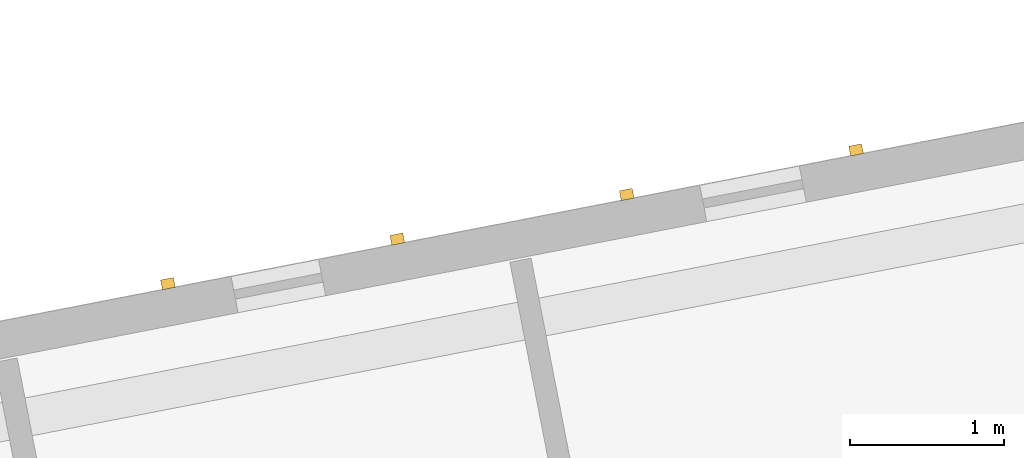
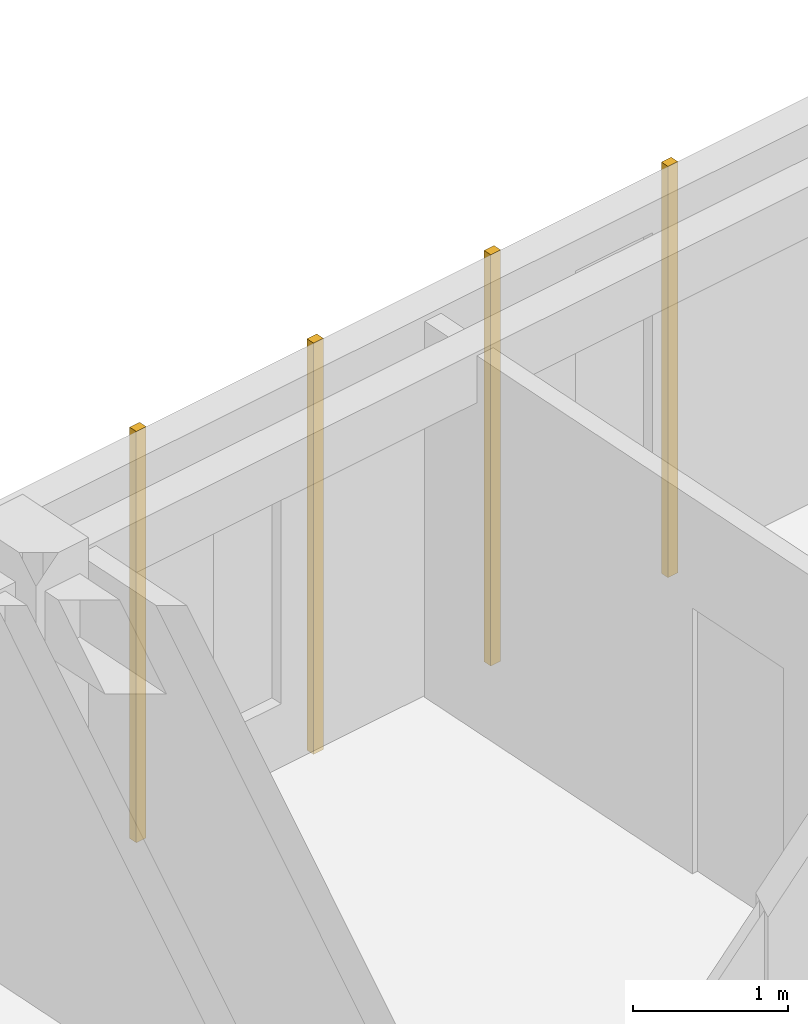
# One storey, part 53 of 65: 4 coverings.
"""IFC4 building model written with IfcOpenShell, lengths in metres."""

import ifcopenshell
import ifcopenshell.guid

model = None  # the IFC model being written
_history = None  # IfcOwnerHistory: only IFC2X3 demands one
_inside = {}  # id of a spatial element -> (the spatial element, [elements in it])
_under = {}  # id of a project, library or spatial element -> (it, [spatial elements below it])
_declared = {}  # id of a project -> (the project, [libraries it declares])
_typed = {}  # id of a type object -> (the type object, [elements of that type])
_made_of = {}  # id of a material, layer set ... -> (it, [elements and type objects made of it])


def new_model(schema):
    """Start an empty IFC model of exactly this schema.

    Asked for "IFC4X3", IfcOpenShell would pick the latest addendum, in which some entities
    have other attributes; the version numbers below select the first issue.
    IFC2X3 requires an IfcOwnerHistory on every rooted entity: one is made here for all.
    """
    global model, _history
    if schema == "IFC4X3":
        model = ifcopenshell.file(schema_version=(4, 3, 0, 0))
    else:
        model = ifcopenshell.file(schema=schema)
    _inside.clear()
    _under.clear()
    _declared.clear()
    _typed.clear()
    _made_of.clear()
    _history = None
    if model.schema == "IFC2X3":
        org = make("IfcOrganization", Name="unknown")
        user = make(
            "IfcPersonAndOrganization",
            ThePerson=make("IfcPerson", FamilyName="unknown"),
            TheOrganization=org,
        )
        app = make(
            "IfcApplication",
            ApplicationDeveloper=org,
            Version="unknown",
            ApplicationFullName="unknown",
            ApplicationIdentifier="unknown",
        )
        _history = make(
            "IfcOwnerHistory",
            OwningUser=user,
            OwningApplication=app,
            ChangeAction="ADDED",
            CreationDate=0,
        )
    return model


def make(cls, **values):
    """One entity of the class cls with the attributes given. An attribute that is None is left unset."""
    return model.create_entity(
        cls, **{name: value for name, value in values.items() if value is not None}
    )


def rooted(cls, **values):
    """An entity with a GlobalId (a new one), such as an element, a storey or a relation."""
    return make(cls, GlobalId=ifcopenshell.guid.new(), OwnerHistory=_history, **values)


def si_unit(unit_type, name, prefix=None):
    """IfcSIUnit, for example si_unit("LENGTHUNIT", "METRE", prefix="MILLI")."""
    return make("IfcSIUnit", UnitType=unit_type, Prefix=prefix, Name=name)


def assignment(units):
    """IfcUnitAssignment: the units of a project."""
    return None if units is None else make("IfcUnitAssignment", Units=units)


def point(xyz):
    """IfcCartesianPoint."""
    return None if xyz is None else make("IfcCartesianPoint", Coordinates=xyz)


def direction(xyz):
    """IfcDirection."""
    return None if xyz is None else make("IfcDirection", DirectionRatios=xyz)


def frame(location, z_axis=None, x_axis=None):
    """IfcAxis2Placement3D, a coordinate frame: its origin and axes. An axis left out is left unset."""
    return make(
        "IfcAxis2Placement3D",
        Location=point(location),
        Axis=direction(z_axis),
        RefDirection=direction(x_axis),
    )


def frame_2d(location, x_axis=None):
    """IfcAxis2Placement2D, a coordinate frame in the plane: its origin and x axis."""
    return make(
        "IfcAxis2Placement2D", Location=point(location), RefDirection=direction(x_axis)
    )


def origin():
    """The frame at (0, 0, 0) with its axes left unset."""
    return frame((0.0, 0.0, 0.0))


def origin_2d():
    """The frame at (0, 0) in the plane with its x axis left unset."""
    return frame_2d((0.0, 0.0))


def place(relative_to, where):
    """IfcLocalPlacement: puts the frame where relative to a parent placement (None: the world)."""
    return make(
        "IfcLocalPlacement", PlacementRelTo=relative_to, RelativePlacement=where
    )


def context(
    kind, dimensions, precision=None, world=None, true_north=None, identifier=None
):
    """IfcGeometricRepresentationContext, for example the 3D "Model" context."""
    return make(
        "IfcGeometricRepresentationContext",
        ContextIdentifier=identifier,
        ContextType=kind,
        CoordinateSpaceDimension=dimensions,
        Precision=precision,
        WorldCoordinateSystem=world,
        TrueNorth=true_north,
    )


def subcontext(parent, identifier, kind, view, scale=None):
    """IfcGeometricRepresentationSubContext, for example "Body" below "Model"."""
    return make(
        "IfcGeometricRepresentationSubContext",
        ContextIdentifier=identifier,
        ContextType=kind,
        ParentContext=parent,
        TargetScale=scale,
        TargetView=view,
    )


def project(units=None, contexts=None):
    """IfcProject with its units and contexts."""
    return rooted(
        "IfcProject",
        Name="project",
        RepresentationContexts=contexts,
        UnitsInContext=assignment(units),
    )


def spatial(cls, under=None, at=None, **own):
    """A site, building, storey or space (cls), placed at a placement, below another one or the project."""
    s = rooted(cls, ObjectPlacement=at, **own)
    if under is not None:
        _under.setdefault(under.id(), (under, []))[1].append(s)
    return s


def profile(cls, at=None, kind="AREA", **sizes):
    """A parametric profile (cls). Its sizes go by their IFC names, for example OverallWidth=200.0."""
    return make(cls, ProfileType=kind, Position=at, **sizes)


def rectangle(**sizes):
    """IfcRectangleProfileDef."""
    return profile("IfcRectangleProfileDef", **sizes)


def extrude(swept, where, along, depth):
    """IfcExtrudedAreaSolid: the profile swept, set in the frame where, extruded along a direction by depth."""
    return make(
        "IfcExtrudedAreaSolid",
        SweptArea=swept,
        Position=where,
        ExtrudedDirection=direction(along),
        Depth=depth,
    )


def shape(context_of_items, identifier, shape_type, items):
    """IfcShapeRepresentation: the items that make up one representation, for example the "Body"."""
    return make(
        "IfcShapeRepresentation",
        ContextOfItems=context_of_items,
        RepresentationIdentifier=identifier,
        RepresentationType=shape_type,
        Items=items,
    )


def material(Name=None, Category=None):
    """IfcMaterial."""
    return make("IfcMaterial", Name=Name, Category=Category)


def layer(
    of_material, thickness, ventilated=None, Name=None, Category=None, Priority=None
):
    """IfcMaterialLayer: one layer of a wall or slab, of a material (None: an air gap)."""
    return make(
        "IfcMaterialLayer",
        Material=of_material,
        LayerThickness=thickness,
        IsVentilated=ventilated,
        Name=Name,
        Category=Category,
        Priority=Priority,
    )


def layer_set(layers, Name=None):
    """IfcMaterialLayerSet."""
    return make("IfcMaterialLayerSet", MaterialLayers=layers, LayerSetName=Name)


def made_of(thing, what):
    """Note that an element or type object is made of a material, layer set ...; save() writes the relation."""
    if what is not None:
        _made_of.setdefault(what.id(), (what, []))[1].append(thing)
    return thing


def type_object(cls, material=None, **own):
    """A type object (cls), such as IfcWallType, which elements share."""
    return made_of(rooted(cls, **own), material)


def element(
    cls,
    number,
    at=None,
    inside=None,
    cuts=None,
    type_object=None,
    material=None,
    context=None,
    identifier="Body",
    shape_type=None,
    held_by="IfcProductDefinitionShape",
    body=None,
    shapes=None,
    **own,
):
    """One element of the class cls, such as IfcWall. Its Tag is "e" and its number.

    at: its placement. inside: the storey or other place that contains it. cuts: it is an
    opening in that element (IfcRelVoidsElement). A single representation is given by context,
    identifier, shape_type and body (its items); several are given by shapes. held_by: the class
    of the entity that holds the representations. save() writes the other relations.
    """
    e = rooted(cls, Tag="e%d" % number, ObjectPlacement=at, **own)
    if body is not None:
        shapes = [shape(context, identifier, shape_type, body)]
    if shapes is not None:
        e.Representation = make(held_by, Representations=shapes)
    if inside is not None:
        _inside.setdefault(inside.id(), (inside, []))[1].append(e)
    if cuts is not None:
        rooted(
            "IfcRelVoidsElement", RelatingBuildingElement=cuts, RelatedOpeningElement=e
        )
    if type_object is not None:
        _typed.setdefault(type_object.id(), (type_object, []))[1].append(e)
    return made_of(e, material)


def aggregate(whole, parts):
    """IfcRelAggregates: a whole, such as a stair, and the parts it consists of."""
    return rooted("IfcRelAggregates", RelatingObject=whole, RelatedObjects=parts)


def save(model, path):
    """Write the relations noted so far, then the file.

    IfcRelAggregates (storeys below a building ...), IfcRelContainedInSpatialStructure (elements
    in a storey), IfcRelDefinesByType, IfcRelAssociatesMaterial and IfcRelDeclares: one each for
    every whole, place, type object, material and project.
    """
    for whole, parts in _under.values():
        aggregate(whole, parts)
    for where, things in _inside.values():
        rooted(
            "IfcRelContainedInSpatialStructure",
            RelatedElements=things,
            RelatingStructure=where,
        )
    for kind, things in _typed.values():
        rooted("IfcRelDefinesByType", RelatedObjects=things, RelatingType=kind)
    for what, things in _made_of.values():
        rooted("IfcRelAssociatesMaterial", RelatedObjects=things, RelatingMaterial=what)
    for by, libraries in _declared.values():
        rooted("IfcRelDeclares", RelatingContext=by, RelatedDefinitions=libraries)
    model.write(path)


model = new_model("IFC4")

# Units and contexts
model_context = context("Model", 3, precision=1e-05, world=origin(), true_north=direction((0.0, 1.0)))
body_context = subcontext(model_context, "Body", "Model", "MODEL_VIEW")
ifc_project = project(units=[si_unit("LENGTHUNIT", "METRE"), si_unit("AREAUNIT", "SQUARE_METRE"), si_unit("VOLUMEUNIT", "CUBIC_METRE"), si_unit("PLANEANGLEUNIT", "RADIAN"), si_unit("MASSUNIT", "GRAM", prefix="KILO")], contexts=[model_context])

# Site, building, storey
site_placement = place(None, origin())
site = spatial("IfcSite", under=ifc_project, at=site_placement, CompositionType="ELEMENT")
building_placement = place(site_placement, origin())
building = spatial("IfcBuilding", under=site, at=building_placement, Name="Kestramere Prow Commons", CompositionType="ELEMENT")
storey_placement = place(building_placement, frame((0.0, 0.0, 21.39990234375)))
storey = spatial("IfcBuildingStorey", under=building, at=storey_placement, Name="L06", CompositionType="ELEMENT", Elevation=21.39990234375)

# Coverings
ifc_material = material(Name="Weathered Zinc-Titanium Standing-Seam Cladding")
ifc_layer = layer(ifc_material, 0.074951171875)
ifc_layer_set = layer_set([ifc_layer], Name="Weathered Zinc-Titanium Standing-Seam Cladding")
covering_type = type_object("IfcCoveringType", Name="COV-CLAD-SEAM", PredefinedType="CLADDING", material=ifc_layer_set)
for number, where, z_axis, x_axis, name in (
    (1, (123.4833984375, 55.64501953125, -0.25), (0.0, 0.0, 1.0), (0.981627183448, 0.190808995377, 0.0), "EW-D-L06-N-1 Standing-Seam Rib 1"),
    (2, (124.975341796875, 55.93505859375, -0.25), (0.0, 0.0, 1.0), (0.981627183448, 0.190808995377, 0.0), "EW-D-L06-N-1 Standing-Seam Rib 2"),
    (3, (126.467529296875, 56.22509765625, -0.25), (0.0, 0.0, 1.0), (0.981627183448, 0.190808995377, 0.0), "EW-D-L06-N-1 Standing-Seam Rib 3"),
    (4, (127.95947265625, 56.51513671875, -0.25), (0.0, 0.0, 1.0), (0.981627183448, 0.190808995377, 0.0), "EW-D-L06-N-1 Standing-Seam Rib 4"),
):
    element("IfcCovering", number, at=place(storey_placement, frame(where, z_axis=z_axis, x_axis=x_axis)), inside=storey, type_object=covering_type, Name=name, PredefinedType="CLADDING", context=body_context, shape_type="SweptSolid", body=[
        extrude(rectangle(XDim=0.0849609375, YDim=0.06494140625, at=origin_2d()), origin(), (0.0, 0.0, 1.0), 3.25),
    ])

save(model, "model.ifc")
